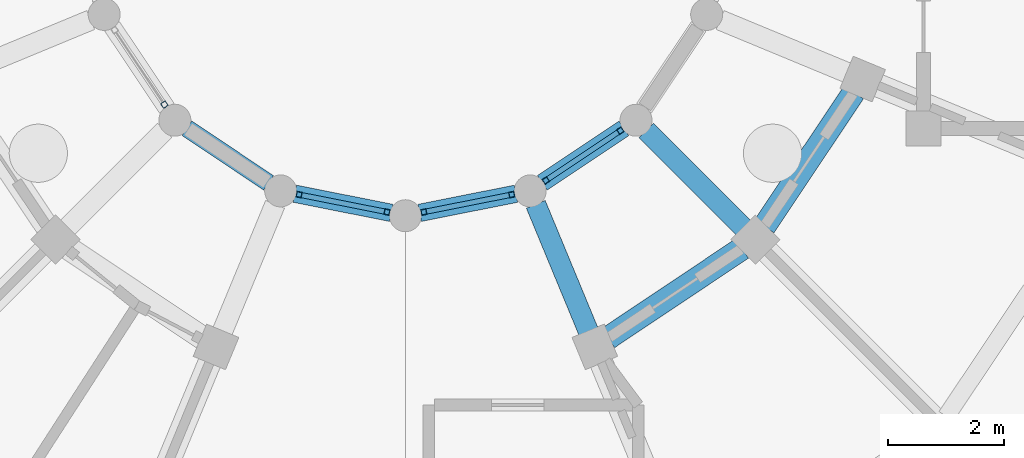
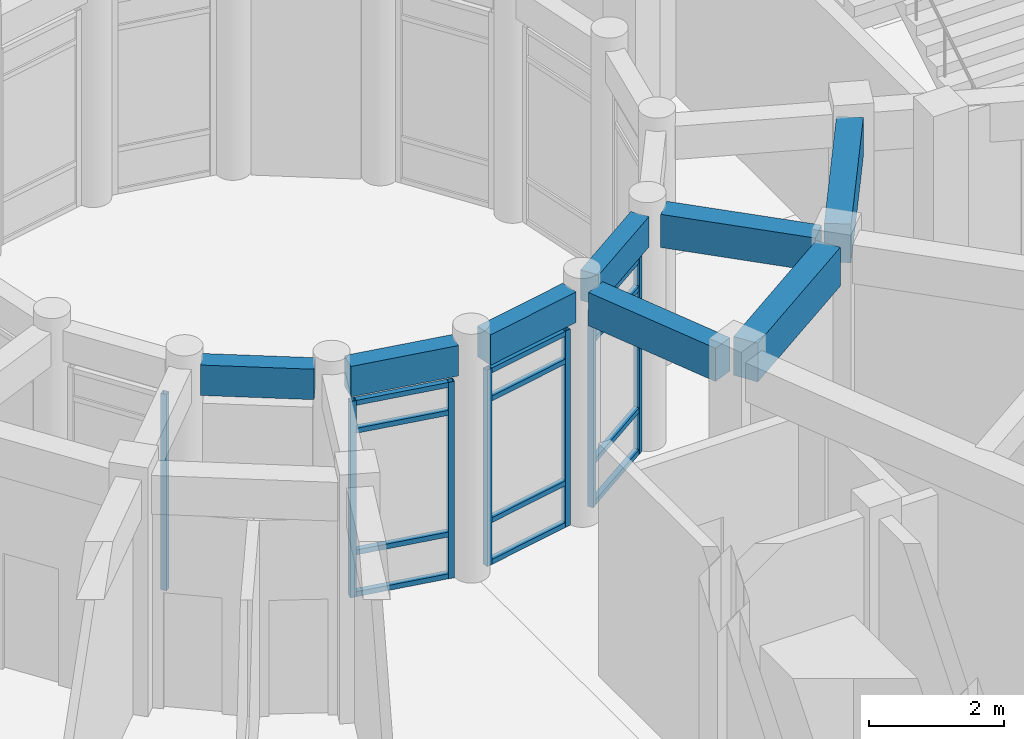
# One storey, part 62 of 153: 19 members, 8 beams, 4 elements without a shape of their own.
"""IFC4 building model written with IfcOpenShell, lengths in metres."""

from ifc_helpers import new_model, si_unit, direction, frame, origin, origin_2d, place, context, subcontext, project, spatial, rectangle, hollow_rectangle, extrude, material, material_profile, profile_set, type_object, element, aggregate, save


model = new_model("IFC4")

# Units and contexts
model_context = context("Model", 3, precision=1e-05, world=origin(), true_north=direction((0.0, 1.0)))
body_context = subcontext(model_context, "Body", "Model", "MODEL_VIEW")
ifc_project = project(units=[si_unit("LENGTHUNIT", "METRE"), si_unit("AREAUNIT", "SQUARE_METRE"), si_unit("VOLUMEUNIT", "CUBIC_METRE"), si_unit("PLANEANGLEUNIT", "RADIAN"), si_unit("MASSUNIT", "GRAM", prefix="KILO")], contexts=[model_context])

# Site, building, storey
site_placement = place(None, origin())
site = spatial("IfcSite", under=ifc_project, at=site_placement, CompositionType="ELEMENT")
building_placement = place(site_placement, origin())
building = spatial("IfcBuilding", under=site, at=building_placement, Name="Celadon Cloister-Ring School", CompositionType="ELEMENT")
storey_placement = place(building_placement, origin())
storey = spatial("IfcBuildingStorey", under=building, at=storey_placement, Name="L00", CompositionType="ELEMENT", Elevation=0.0)

# Beams
ifc_material_1 = material(Name="Concrete C35/45", Category="concrete")
ifc_material_profile_1 = material_profile(ifc_material_1, rectangle(XDim=0.35009765625, YDim=0.60009765625, at=origin_2d()), Name="RC350X600")
ifc_profile_set_1 = profile_set([ifc_material_profile_1], Name="Concrete C35/45")
beam_type_1 = type_object("IfcBeamType", Name="BT-02", PredefinedType="BEAM", material=ifc_profile_set_1)
beam_1_placement = place(storey_placement, frame((23.347900390625, 89.40087890625, 3.9599609375), z_axis=(-0.382724033014, 0.923862714127, 0.0), x_axis=(-0.923862714127, -0.382724033014, 0.0)))
element("IfcBeam", 1, at=beam_1_placement, inside=storey, type_object=beam_type_1, Name="Beam 0608", PredefinedType="BEAM", context=body_context, shape_type="SweptSolid", body=[
    extrude(rectangle(XDim=0.35009765625, YDim=0.60009765625, at=origin_2d()), origin(), (0.0, 0.0, 1.0), 2.375),
])
beam_2_placement = place(storey_placement, frame((26.01611328125, 91.18408203125, 3.9599609375), z_axis=(-0.707158186572, 0.707055372064, 0.0), x_axis=(-0.707055372064, -0.707158186572, 0.0)))
element("IfcBeam", 2, at=beam_2_placement, inside=storey, type_object=beam_type_1, Name="Beam 0610", PredefinedType="BEAM", context=body_context, shape_type="SweptSolid", body=[
    extrude(rectangle(XDim=0.35009765625, YDim=0.60009765625, at=origin_2d()), origin(), (0.0, 0.0, 1.0), 2.37451171875),
])

# Curtain wall, member
ifc_material_2 = material(Name="Aluminium EN AW-6063 T6", Category="aluminium")
curtain_wall_type = type_object("IfcCurtainWallType", Name="CW-03", PredefinedType="USERDEFINED", material=ifc_material_2)
curtain_wall_1_placement = place(storey_placement, origin())
curtain_wall_1 = element("IfcCurtainWall", 3, at=curtain_wall_1_placement, inside=storey, type_object=curtain_wall_type, Name="Curtain Wall 0086", ObjectType="CURTAIN WALL", PredefinedType="USERDEFINED")
ifc_material_3 = material(Name="Aluminium EN AW-6063 T6", Category="aluminium")
ifc_material_profile_2 = material_profile(ifc_material_3, hollow_rectangle(XDim=0.094970703125, YDim=0.094970703125, WallThickness=0.00390625, at=origin_2d()), Name="RHS95X95X4")
ifc_profile_set_2 = profile_set([ifc_material_profile_2], Name="Aluminium EN AW-6063 T6")
member_type_1 = type_object("IfcMemberType", Name="CM-02", PredefinedType="MULLION", material=ifc_profile_set_2)
member_1_placement = place(storey_placement, frame((16.060546875, 93.30859375, 0.0), z_axis=(0.0, 0.0, 1.0), x_axis=(0.831485091394, 0.555547066224, 0.0)))
member_1 = element("IfcMember", 4, at=member_1_placement, type_object=member_type_1, Name="CW-03 mullion 2", PredefinedType="MULLION", context=body_context, shape_type="SweptSolid", body=[
    extrude(hollow_rectangle(XDim=0.094970703125, YDim=0.094970703125, WallThickness=0.00390625, at=origin_2d()), origin(), (0.0, 0.0, 1.0), 3.550048828125),
])
aggregate(curtain_wall_1, [member_1])

# Curtain wall, members
curtain_wall_2_placement = place(storey_placement, origin())
curtain_wall_2 = element("IfcCurtainWall", 5, at=curtain_wall_2_placement, inside=storey, type_object=curtain_wall_type, Name="Curtain Wall 0087", ObjectType="CURTAIN WALL", PredefinedType="USERDEFINED")
member_2_placement = place(storey_placement, frame((18.37353515625, 91.7626953125, 0.0), z_axis=(0.0, 0.0, 1.0), x_axis=(0.194586131301, 0.980885435464, 0.0)))
member_2 = element("IfcMember", 6, at=member_2_placement, type_object=member_type_1, Name="CW-03 mullion 1", PredefinedType="MULLION", context=body_context, shape_type="SweptSolid", body=[
    extrude(hollow_rectangle(XDim=0.094970703125, YDim=0.094970703125, WallThickness=0.00390625, at=origin_2d()), origin(), (0.0, 0.0, 1.0), 3.550048828125),
])
member_3_placement = place(storey_placement, frame((19.88330078125, 91.463134765625, 0.0), z_axis=(0.0, 0.0, 1.0), x_axis=(0.194586131301, 0.980885435464, 0.0)))
member_3 = element("IfcMember", 7, at=member_3_placement, type_object=member_type_1, Name="CW-03 mullion 2", PredefinedType="MULLION", context=body_context, shape_type="SweptSolid", body=[
    extrude(hollow_rectangle(XDim=0.094970703125, YDim=0.094970703125, WallThickness=0.00390625, at=origin_2d()), origin(), (0.0, 0.0, 1.0), 3.550048828125),
])

curtain_wall_3_placement = place(storey_placement, origin())
curtain_wall_3 = element("IfcCurtainWall", 8, at=curtain_wall_3_placement, inside=storey, type_object=curtain_wall_type, Name="Curtain Wall 0088", ObjectType="CURTAIN WALL", PredefinedType="USERDEFINED")
member_4_placement = place(storey_placement, frame((20.5166015625, 91.463134765625, 0.0), z_axis=(0.0, 0.0, 1.0), x_axis=(-0.194586131301, 0.980885435464, 0.0)))
member_4 = element("IfcMember", 9, at=member_4_placement, type_object=member_type_1, Name="CW-03 mullion 1", PredefinedType="MULLION", context=body_context, shape_type="SweptSolid", body=[
    extrude(hollow_rectangle(XDim=0.094970703125, YDim=0.094970703125, WallThickness=0.00390625, at=origin_2d()), origin(), (0.0, 0.0, 1.0), 3.550048828125),
])
member_5_placement = place(storey_placement, frame((22.0263671875, 91.7626953125, 0.0), z_axis=(0.0, 0.0, 1.0), x_axis=(-0.194586131301, 0.980885435464, 0.0)))
member_5 = element("IfcMember", 10, at=member_5_placement, type_object=member_type_1, Name="CW-03 mullion 2", PredefinedType="MULLION", context=body_context, shape_type="SweptSolid", body=[
    extrude(hollow_rectangle(XDim=0.094970703125, YDim=0.094970703125, WallThickness=0.00390625, at=origin_2d()), origin(), (0.0, 0.0, 1.0), 3.550048828125),
])

curtain_wall_4_placement = place(storey_placement, origin())
curtain_wall_4 = element("IfcCurtainWall", 11, at=curtain_wall_4_placement, inside=storey, type_object=curtain_wall_type, Name="Curtain Wall 0089", ObjectType="CURTAIN WALL", PredefinedType="USERDEFINED")
member_6_placement = place(storey_placement, frame((22.611572265625, 92.00537109375, 0.0), z_axis=(0.0, 0.0, 1.0), x_axis=(-0.555547066224, 0.831485091394, 0.0)))
member_6 = element("IfcMember", 12, at=member_6_placement, type_object=member_type_1, Name="CW-03 mullion 1", PredefinedType="MULLION", context=body_context, shape_type="SweptSolid", body=[
    extrude(hollow_rectangle(XDim=0.094970703125, YDim=0.094970703125, WallThickness=0.00390625, at=origin_2d()), origin(), (0.0, 0.0, 1.0), 3.550048828125),
])
member_7_placement = place(storey_placement, frame((23.8916015625, 92.860595703125, 0.0), z_axis=(0.0, 0.0, 1.0), x_axis=(-0.555547066224, 0.831485091394, 0.0)))
member_7 = element("IfcMember", 13, at=member_7_placement, type_object=member_type_1, Name="CW-03 mullion 2", PredefinedType="MULLION", context=body_context, shape_type="SweptSolid", body=[
    extrude(hollow_rectangle(XDim=0.094970703125, YDim=0.094970703125, WallThickness=0.00390625, at=origin_2d()), origin(), (0.0, 0.0, 1.0), 3.550048828125),
])

# Member
ifc_material_4 = material(Name="Aluminium EN AW-6063 T6", Category="aluminium")
ifc_material_profile_3 = material_profile(ifc_material_4, hollow_rectangle(XDim=0.090087890625, YDim=0.090087890625, WallThickness=0.00390625, at=origin_2d()), Name="RHS90X90X4")
ifc_profile_set_3 = profile_set([ifc_material_profile_3], Name="Aluminium EN AW-6063 T6")
member_type_2 = type_object("IfcMemberType", Name="CTM-02", PredefinedType="USERDEFINED", material=ifc_profile_set_3)
member_8_placement = place(storey_placement, frame((18.420166015625, 91.75341796875, 0.044921875), z_axis=(0.98089149302, -0.194555593394, 0.0), x_axis=(0.194555593394, 0.98089149302, 0.0)))
member_8 = element("IfcMember", 14, at=member_8_placement, type_object=member_type_2, Name="CW-03 transom 1.1", ObjectType="TRANSOM", PredefinedType="USERDEFINED", context=body_context, shape_type="SweptSolid", body=[
    extrude(hollow_rectangle(XDim=0.090087890625, YDim=0.090087890625, WallThickness=0.00390625, at=origin_2d()), origin(), (0.0, 0.0, 1.0), 1.4443359375),
])

member_9_placement = place(storey_placement, frame((18.420166015625, 91.75341796875, 0.800048828125), z_axis=(0.98089149302, -0.194555593394, 0.0), x_axis=(0.194555593394, 0.98089149302, 0.0)))
member_9 = element("IfcMember", 15, at=member_9_placement, type_object=member_type_2, Name="CW-03 transom 1.2", ObjectType="TRANSOM", PredefinedType="USERDEFINED", context=body_context, shape_type="SweptSolid", body=[
    extrude(hollow_rectangle(XDim=0.090087890625, YDim=0.090087890625, WallThickness=0.00390625, at=origin_2d()), origin(), (0.0, 0.0, 1.0), 1.4443359375),
])

member_10_placement = place(storey_placement, frame((18.420166015625, 91.75341796875, 3.0), z_axis=(0.98089149302, -0.194555593394, 0.0), x_axis=(0.194555593394, 0.98089149302, 0.0)))
member_10 = element("IfcMember", 16, at=member_10_placement, type_object=member_type_2, Name="CW-03 transom 1.3", ObjectType="TRANSOM", PredefinedType="USERDEFINED", context=body_context, shape_type="SweptSolid", body=[
    extrude(hollow_rectangle(XDim=0.090087890625, YDim=0.090087890625, WallThickness=0.00390625, at=origin_2d()), origin(), (0.0, 0.0, 1.0), 1.4443359375),
])

member_11_placement = place(storey_placement, frame((18.420166015625, 91.75341796875, 3.5048828125), z_axis=(0.98089149302, -0.194555593394, 0.0), x_axis=(0.194555593394, 0.98089149302, 0.0)))
member_11 = element("IfcMember", 17, at=member_11_placement, type_object=member_type_2, Name="CW-03 transom 1.4", ObjectType="TRANSOM", PredefinedType="USERDEFINED", context=body_context, shape_type="SweptSolid", body=[
    extrude(hollow_rectangle(XDim=0.090087890625, YDim=0.090087890625, WallThickness=0.00390625, at=origin_2d()), origin(), (0.0, 0.0, 1.0), 1.4443359375),
])

aggregate(curtain_wall_2, [member_2, member_3, member_8, member_9, member_10, member_11])

member_12_placement = place(storey_placement, frame((20.563232421875, 91.472412109375, 0.044921875), z_axis=(0.980885093257, 0.194587856315, 0.0), x_axis=(-0.194587856315, 0.980885093257, 0.0)))
member_12 = element("IfcMember", 18, at=member_12_placement, type_object=member_type_2, Name="CW-03 transom 1.1", ObjectType="TRANSOM", PredefinedType="USERDEFINED", context=body_context, shape_type="SweptSolid", body=[
    extrude(hollow_rectangle(XDim=0.090087890625, YDim=0.090087890625, WallThickness=0.00390625, at=origin_2d()), origin(), (0.0, 0.0, 1.0), 1.444091796875),
])

member_13_placement = place(storey_placement, frame((20.563232421875, 91.472412109375, 0.800048828125), z_axis=(0.980885093257, 0.194587856315, 0.0), x_axis=(-0.194587856315, 0.980885093257, 0.0)))
member_13 = element("IfcMember", 19, at=member_13_placement, type_object=member_type_2, Name="CW-03 transom 1.2", ObjectType="TRANSOM", PredefinedType="USERDEFINED", context=body_context, shape_type="SweptSolid", body=[
    extrude(hollow_rectangle(XDim=0.090087890625, YDim=0.090087890625, WallThickness=0.00390625, at=origin_2d()), origin(), (0.0, 0.0, 1.0), 1.444091796875),
])

member_14_placement = place(storey_placement, frame((20.563232421875, 91.472412109375, 3.0), z_axis=(0.980885093257, 0.194587856315, 0.0), x_axis=(-0.194587856315, 0.980885093257, 0.0)))
member_14 = element("IfcMember", 20, at=member_14_placement, type_object=member_type_2, Name="CW-03 transom 1.3", ObjectType="TRANSOM", PredefinedType="USERDEFINED", context=body_context, shape_type="SweptSolid", body=[
    extrude(hollow_rectangle(XDim=0.090087890625, YDim=0.090087890625, WallThickness=0.00390625, at=origin_2d()), origin(), (0.0, 0.0, 1.0), 1.444091796875),
])

member_15_placement = place(storey_placement, frame((20.563232421875, 91.472412109375, 3.5048828125), z_axis=(0.980885093257, 0.194587856315, 0.0), x_axis=(-0.194587856315, 0.980885093257, 0.0)))
member_15 = element("IfcMember", 21, at=member_15_placement, type_object=member_type_2, Name="CW-03 transom 1.4", ObjectType="TRANSOM", PredefinedType="USERDEFINED", context=body_context, shape_type="SweptSolid", body=[
    extrude(hollow_rectangle(XDim=0.090087890625, YDim=0.090087890625, WallThickness=0.00390625, at=origin_2d()), origin(), (0.0, 0.0, 1.0), 1.444091796875),
])

aggregate(curtain_wall_3, [member_4, member_5, member_12, member_13, member_14, member_15])

member_16_placement = place(storey_placement, frame((22.65087890625, 92.03173828125, 0.044921875), z_axis=(0.831503875559, 0.555518951009, 0.0), x_axis=(-0.555518951009, 0.831503875559, 0.0)))
member_16 = element("IfcMember", 22, at=member_16_placement, type_object=member_type_2, Name="CW-03 transom 1.1", ObjectType="TRANSOM", PredefinedType="USERDEFINED", context=body_context, shape_type="SweptSolid", body=[
    extrude(hollow_rectangle(XDim=0.090087890625, YDim=0.090087890625, WallThickness=0.00390625, at=origin_2d()), origin(), (0.0, 0.0, 1.0), 1.444580078125),
])

member_17_placement = place(storey_placement, frame((22.65087890625, 92.03173828125, 0.800048828125), z_axis=(0.831503875559, 0.555518951009, 0.0), x_axis=(-0.555518951009, 0.831503875559, 0.0)))
member_17 = element("IfcMember", 23, at=member_17_placement, type_object=member_type_2, Name="CW-03 transom 1.2", ObjectType="TRANSOM", PredefinedType="USERDEFINED", context=body_context, shape_type="SweptSolid", body=[
    extrude(hollow_rectangle(XDim=0.090087890625, YDim=0.090087890625, WallThickness=0.00390625, at=origin_2d()), origin(), (0.0, 0.0, 1.0), 1.444580078125),
])

member_18_placement = place(storey_placement, frame((22.65087890625, 92.03173828125, 3.0), z_axis=(0.831503875559, 0.555518951009, 0.0), x_axis=(-0.555518951009, 0.831503875559, 0.0)))
member_18 = element("IfcMember", 24, at=member_18_placement, type_object=member_type_2, Name="CW-03 transom 1.3", ObjectType="TRANSOM", PredefinedType="USERDEFINED", context=body_context, shape_type="SweptSolid", body=[
    extrude(hollow_rectangle(XDim=0.090087890625, YDim=0.090087890625, WallThickness=0.00390625, at=origin_2d()), origin(), (0.0, 0.0, 1.0), 1.444580078125),
])

member_19_placement = place(storey_placement, frame((22.65087890625, 92.03173828125, 3.5048828125), z_axis=(0.831503875559, 0.555518951009, 0.0), x_axis=(-0.555518951009, 0.831503875559, 0.0)))
member_19 = element("IfcMember", 25, at=member_19_placement, type_object=member_type_2, Name="CW-03 transom 1.4", ObjectType="TRANSOM", PredefinedType="USERDEFINED", context=body_context, shape_type="SweptSolid", body=[
    extrude(hollow_rectangle(XDim=0.090087890625, YDim=0.090087890625, WallThickness=0.00390625, at=origin_2d()), origin(), (0.0, 0.0, 1.0), 1.444580078125),
])

aggregate(curtain_wall_4, [member_6, member_7, member_16, member_17, member_18, member_19])

# Beams
ifc_material_5 = material(Name="Concrete C35/45", Category="concrete")
ifc_material_profile_4 = material_profile(ifc_material_5, rectangle(XDim=0.39990234375, YDim=0.699951171875, at=origin_2d()), Name="RC400X700")
ifc_profile_set_4 = profile_set([ifc_material_profile_4], Name="Concrete C35/45")
beam_type_2 = type_object("IfcBeamType", Name="GT-03", PredefinedType="USERDEFINED", material=ifc_profile_set_4)
for number, where, z_axis, x_axis, name in (
    (26, (23.681884765625, 89.300048828125, 3.909912109375), (0.831356966973, 0.555738781682, 0.0), (-0.555738781682, 0.831356966973, 0.0), "Beam 0651"),
    (27, (26.363037109375, 91.218994140625, 3.909912109375), (0.555738781682, 0.831356966973, 0.0), (-0.831356966973, 0.555738781682, 0.0), "Beam 0655"),
):
    element("IfcBeam", number, at=place(storey_placement, frame(where, z_axis=z_axis, x_axis=x_axis)), inside=storey, type_object=beam_type_2, Name=name, ObjectType="GIRDER", PredefinedType="USERDEFINED", context=body_context, shape_type="SweptSolid", body=[
        extrude(rectangle(XDim=0.39990234375, YDim=0.699951171875, at=origin_2d()), origin(), (0.0, 0.0, 1.0), 2.765380859375),
    ])
ifc_material_6 = material(Name="Concrete C35/45", Category="concrete")
ifc_material_profile_5 = material_profile(ifc_material_6, rectangle(XDim=0.300048828125, YDim=0.550048828125, at=origin_2d()), Name="RC300X550")
ifc_profile_set_5 = profile_set([ifc_material_profile_5], Name="Concrete C35/45")
beam_type_3 = type_object("IfcBeamType", Name="SP-02", PredefinedType="SPANDREL", material=ifc_profile_set_5)
beam_3_placement = place(storey_placement, frame((16.447998046875, 92.90087890625, 3.985107421875), z_axis=(0.831581859135, -0.555402207016, 0.0), x_axis=(0.555402207016, 0.831581859135, 0.0)))
element("IfcBeam", 28, at=beam_3_placement, inside=storey, type_object=beam_type_3, Name="Beam 0644", PredefinedType="SPANDREL", context=body_context, shape_type="SweptSolid", body=[
    extrude(rectangle(XDim=0.300048828125, YDim=0.550048828125, at=origin_2d()), origin(), (0.0, 0.0, 1.0), 1.684814453125),
])
beam_4_placement = place(storey_placement, frame((18.302001953125, 91.777099609375, 3.985107421875), z_axis=(0.980863799725, -0.194695162728, 0.0), x_axis=(0.194695162728, 0.980863799725, 0.0)))
element("IfcBeam", 29, at=beam_4_placement, inside=storey, type_object=beam_type_3, Name="Beam 0647", PredefinedType="SPANDREL", context=body_context, shape_type="SweptSolid", body=[
    extrude(rectangle(XDim=0.300048828125, YDim=0.550048828125, at=origin_2d()), origin(), (0.0, 0.0, 1.0), 1.685302734375),
])
beam_5_placement = place(storey_placement, frame((20.445068359375, 91.448974609375, 3.985107421875), z_axis=(0.980858307367, 0.194722830887, 0.0), x_axis=(-0.194722830887, 0.980858307367, 0.0)))
element("IfcBeam", 30, at=beam_5_placement, inside=storey, type_object=beam_type_3, Name="Beam 0649", PredefinedType="SPANDREL", context=body_context, shape_type="SweptSolid", body=[
    extrude(rectangle(XDim=0.300048828125, YDim=0.550048828125, at=origin_2d()), origin(), (0.0, 0.0, 1.0), 1.68505859375),
])
beam_6_placement = place(storey_placement, frame((22.551025390625, 91.965087890625, 3.985107421875), z_axis=(0.831537153477, 0.555469137204, 0.0), x_axis=(-0.555469137204, 0.831537153477, 0.0)))
element("IfcBeam", 31, at=beam_6_placement, inside=storey, type_object=beam_type_3, Name="Beam 0652", PredefinedType="SPANDREL", context=body_context, shape_type="SweptSolid", body=[
    extrude(rectangle(XDim=0.300048828125, YDim=0.550048828125, at=origin_2d()), origin(), (0.0, 0.0, 1.0), 1.6845703125),
])

save(model, "model.ifc")
